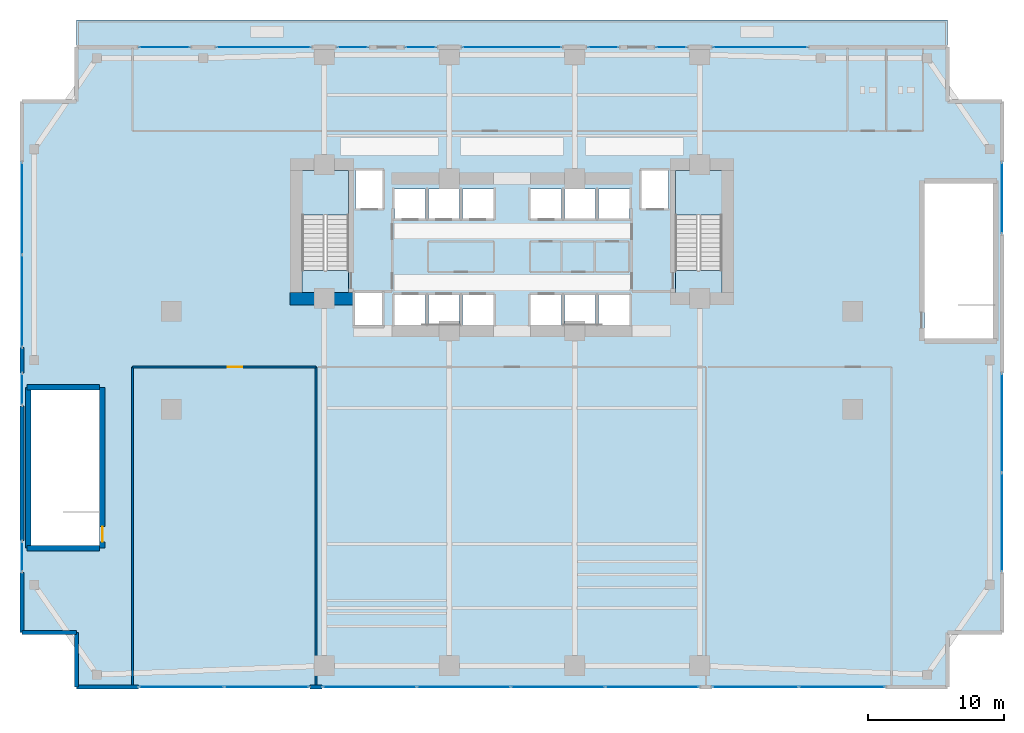
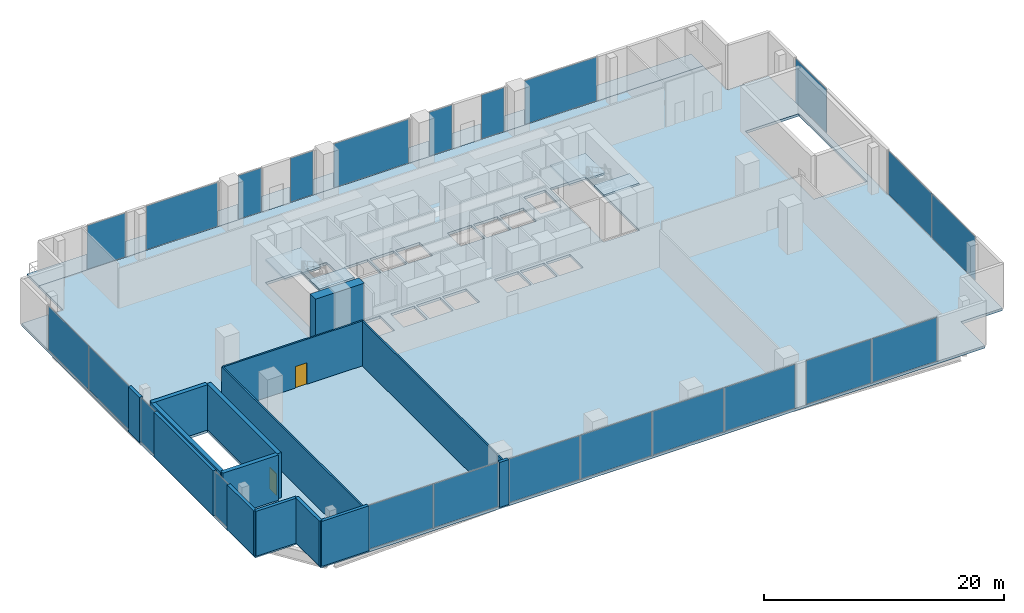
# One storey, part 20 of 28: 23 plates, 15 walls, 6 slabs, 2 doors, 2 openings, 18 elements without a shape of their own.
"""IFC4 building model written with IfcOpenShell, lengths in metres."""

from ifc_helpers import new_model, si_unit, direction, frame, frame_2d, origin, origin_2d, place, context, subcontext, project, spatial, polyline, rectangle, outline, extrude, material, layer, layer_set, type_object, element, fill, aggregate, save


model = new_model("IFC4")

# Units and contexts
model_context = context("Model", 3, precision=1e-05, world=origin(), true_north=direction((0.0, 1.0)))
body_context = subcontext(model_context, "Body", "Model", "MODEL_VIEW")
ifc_project = project(units=[si_unit("LENGTHUNIT", "METRE"), si_unit("AREAUNIT", "SQUARE_METRE"), si_unit("VOLUMEUNIT", "CUBIC_METRE"), si_unit("PLANEANGLEUNIT", "RADIAN"), si_unit("MASSUNIT", "GRAM", prefix="KILO")], contexts=[model_context])

# Site, building, storey
site_placement = place(None, origin())
site = spatial("IfcSite", under=ifc_project, at=site_placement, CompositionType="ELEMENT")
building_placement = place(site_placement, origin())
building = spatial("IfcBuilding", under=site, at=building_placement, Name="Zuhayl Quay Hotel", CompositionType="ELEMENT")
storey_placement = place(building_placement, frame((0.0, 0.0, 22.800048828125)))
storey = spatial("IfcBuildingStorey", under=building, at=storey_placement, Name="L04", CompositionType="ELEMENT", Elevation=22.800048828125)

# Curtain wall, plate
ifc_material_1 = material(Name="Anodised Aluminium 6063-T6", Category="aluminium")
ifc_layer_1 = layer(ifc_material_1, 0.199951171875, Name="Anodised Aluminium 6063-T6", Category="aluminium")
ifc_layer_set_1 = layer_set([ifc_layer_1], Name="Anodised Aluminium 6063-T6")
curtain_wall_type = type_object("IfcCurtainWallType", Name="CW_SYS_POD", PredefinedType="USERDEFINED", material=ifc_layer_set_1)
curtain_wall_1_placement = place(storey_placement, origin())
curtain_wall_1 = element("IfcCurtainWall", 1, at=curtain_wall_1_placement, inside=storey, type_object=curtain_wall_type, Name="L04 Curtain Wall ENV_L04_E02_CW1", ObjectType="UNITISED CURTAIN WALL", PredefinedType="USERDEFINED")
ifc_material_2 = material(Name="Low-E Insulated Clear Vision Glass", Category="glass")
ifc_layer_2 = layer(ifc_material_2, 0.031982421875, Name="Low-E Insulated Clear Vision Glass", Category="glass")
ifc_layer_set_2 = layer_set([ifc_layer_2], Name="Low-E Insulated Clear Vision Glass")
plate_type = type_object("IfcPlateType", Name="PN_POD_VISION", PredefinedType="CURTAIN_PANEL", material=ifc_layer_set_2)
plate_1_placement = place(storey_placement, frame((-36.0, -14.4150390625, 0.06005859375), z_axis=(0.0, 0.0, 1.0), x_axis=(0.0, 1.0, 0.0)))
plate_1 = element("IfcPlate", 2, at=plate_1_placement, type_object=plate_type, Name="CW-POD panel 1.1", PredefinedType="CURTAIN_PANEL", context=body_context, shape_type="SweptSolid", body=[
    extrude(rectangle(XDim=2.179931640625, YDim=0.031982421875, at=origin_2d()), origin(), (0.0, 0.0, 1.0), 4.4599609375),
])
aggregate(curtain_wall_1, [plate_1])

curtain_wall_2_placement = place(storey_placement, origin())
curtain_wall_2 = element("IfcCurtainWall", 3, at=curtain_wall_2_placement, inside=storey, type_object=curtain_wall_type, Name="L04 Curtain Wall ENV_L04_E02_CW2", ObjectType="UNITISED CURTAIN WALL", PredefinedType="USERDEFINED")
plate_2_placement = place(storey_placement, frame((-36.0, -2.135009765625, 0.06005859375), z_axis=(0.0, 0.0, 1.0), x_axis=(0.0, 1.0, 0.0)))
plate_2 = element("IfcPlate", 4, at=plate_2_placement, type_object=plate_type, Name="CW-POD panel 1.1", PredefinedType="CURTAIN_PANEL", context=body_context, shape_type="SweptSolid", body=[
    extrude(rectangle(XDim=2.280029296875, YDim=0.031982421875, at=origin_2d()), origin(), (0.0, 0.0, 1.0), 4.4599609375),
])
aggregate(curtain_wall_2, [plate_2])

# Curtain wall, plates
curtain_wall_3_placement = place(storey_placement, origin())
curtain_wall_3 = element("IfcCurtainWall", 5, at=curtain_wall_3_placement, inside=storey, type_object=curtain_wall_type, Name="L04 Curtain Wall ENV_L04_E02_CW3", ObjectType="UNITISED CURTAIN WALL", PredefinedType="USERDEFINED")
plate_3_placement = place(storey_placement, frame((-36.0, 4.353759765625, 0.06005859375), z_axis=(0.0, 0.0, 1.0), x_axis=(0.0, 1.0, 0.0)))
plate_3 = element("IfcPlate", 6, at=plate_3_placement, type_object=plate_type, Name="CW-POD panel 1.1", PredefinedType="CURTAIN_PANEL", context=body_context, shape_type="SweptSolid", body=[
    extrude(rectangle(XDim=6.717529296875, YDim=0.031982421875, at=origin_2d()), origin(), (0.0, 0.0, 1.0), 4.4599609375),
])
plate_4_placement = place(storey_placement, frame((-36.0, 11.146240234375, 0.06005859375), z_axis=(0.0, 0.0, 1.0), x_axis=(0.0, 1.0, 0.0)))
plate_4 = element("IfcPlate", 7, at=plate_4_placement, type_object=plate_type, Name="CW-POD panel 2.1", PredefinedType="CURTAIN_PANEL", context=body_context, shape_type="SweptSolid", body=[
    extrude(rectangle(XDim=6.717529296875, YDim=0.031982421875, at=origin_2d()), origin(), (0.0, 0.0, 1.0), 4.4599609375),
])
aggregate(curtain_wall_3, [plate_3, plate_4])

# Curtain wall, plate
curtain_wall_4_placement = place(storey_placement, origin())
curtain_wall_4 = element("IfcCurtainWall", 8, at=curtain_wall_4_placement, inside=storey, type_object=curtain_wall_type, Name="L04 Curtain Wall ENV_L04_E05_CW1", ObjectType="UNITISED CURTAIN WALL", PredefinedType="USERDEFINED")
plate_5_placement = place(storey_placement, frame((-25.534912109375, 23.0, 0.06005859375), z_axis=(0.0, 0.0, 1.0), x_axis=(1.0, 0.0, 0.0)))
plate_5 = element("IfcPlate", 9, at=plate_5_placement, type_object=plate_type, Name="CW-POD panel 1.1", PredefinedType="CURTAIN_PANEL", context=body_context, shape_type="SweptSolid", body=[
    extrude(rectangle(XDim=3.679931640625, YDim=0.031982421875, at=origin_2d()), origin(), (0.0, 0.0, 1.0), 4.4599609375),
])
aggregate(curtain_wall_4, [plate_5])

curtain_wall_5_placement = place(storey_placement, origin())
curtain_wall_5 = element("IfcCurtainWall", 10, at=curtain_wall_5_placement, inside=storey, type_object=curtain_wall_type, Name="L04 Curtain Wall ENV_L04_E05_CW2", ObjectType="UNITISED CURTAIN WALL", PredefinedType="USERDEFINED")
plate_6_placement = place(storey_placement, frame((-18.25, 23.0, 0.06005859375), z_axis=(0.0, 0.0, 1.0), x_axis=(1.0, 0.0, 0.0)))
plate_6 = element("IfcPlate", 11, at=plate_6_placement, type_object=plate_type, Name="CW-POD panel 1.1", PredefinedType="CURTAIN_PANEL", context=body_context, shape_type="SweptSolid", body=[
    extrude(rectangle(XDim=6.909912109375, YDim=0.031982421875, at=origin_2d()), origin(), (0.0, 0.0, 1.0), 4.4599609375),
])
aggregate(curtain_wall_5, [plate_6])

curtain_wall_6_placement = place(storey_placement, origin())
curtain_wall_6 = element("IfcCurtainWall", 12, at=curtain_wall_6_placement, inside=storey, type_object=curtain_wall_type, Name="L04 Curtain Wall ENV_L04_E05_CW3", ObjectType="UNITISED CURTAIN WALL", PredefinedType="USERDEFINED")
plate_7_placement = place(storey_placement, frame((-11.702392578125, 23.0, 0.06005859375), z_axis=(0.0, 0.0, 1.0), x_axis=(1.0, 0.0, 0.0)))
plate_7 = element("IfcPlate", 13, at=plate_7_placement, type_object=plate_type, Name="CW-POD panel 1.1", PredefinedType="CURTAIN_PANEL", context=body_context, shape_type="SweptSolid", body=[
    extrude(rectangle(XDim=2.205078125, YDim=0.031982421875, at=origin_2d()), origin(), (0.0, 0.0, 1.0), 4.4599609375),
])
aggregate(curtain_wall_6, [plate_7])

curtain_wall_7_placement = place(storey_placement, origin())
curtain_wall_7 = element("IfcCurtainWall", 14, at=curtain_wall_7_placement, inside=storey, type_object=curtain_wall_type, Name="L04 Curtain Wall ENV_L04_E05_CW4", ObjectType="UNITISED CURTAIN WALL", PredefinedType="USERDEFINED")
plate_8_placement = place(storey_placement, frame((-6.697509765625, 23.0, 0.06005859375), z_axis=(0.0, 0.0, 1.0), x_axis=(1.0, 0.0, 0.0)))
plate_8 = element("IfcPlate", 15, at=plate_8_placement, type_object=plate_type, Name="CW-POD panel 1.1", PredefinedType="CURTAIN_PANEL", context=body_context, shape_type="SweptSolid", body=[
    extrude(rectangle(XDim=2.205078125, YDim=0.031982421875, at=origin_2d()), origin(), (0.0, 0.0, 1.0), 4.4599609375),
])
aggregate(curtain_wall_7, [plate_8])

curtain_wall_8_placement = place(storey_placement, origin())
curtain_wall_8 = element("IfcCurtainWall", 16, at=curtain_wall_8_placement, inside=storey, type_object=curtain_wall_type, Name="L04 Curtain Wall ENV_L04_E05_CW5", ObjectType="UNITISED CURTAIN WALL", PredefinedType="USERDEFINED")
plate_9_placement = place(storey_placement, frame((0.0, 23.0, 0.06005859375), z_axis=(0.0, 0.0, 1.0), x_axis=(1.0, 0.0, 0.0)))
plate_9 = element("IfcPlate", 17, at=plate_9_placement, type_object=plate_type, Name="CW-POD panel 1.1", PredefinedType="CURTAIN_PANEL", context=body_context, shape_type="SweptSolid", body=[
    extrude(rectangle(XDim=7.2099609375, YDim=0.031982421875, at=origin_2d()), origin(), (0.0, 0.0, 1.0), 4.4599609375),
])
aggregate(curtain_wall_8, [plate_9])

curtain_wall_9_placement = place(storey_placement, origin())
curtain_wall_9 = element("IfcCurtainWall", 18, at=curtain_wall_9_placement, inside=storey, type_object=curtain_wall_type, Name="L04 Curtain Wall ENV_L04_E05_CW6", ObjectType="UNITISED CURTAIN WALL", PredefinedType="USERDEFINED")
plate_10_placement = place(storey_placement, frame((6.697509765625, 23.0, 0.06005859375), z_axis=(0.0, 0.0, 1.0), x_axis=(1.0, 0.0, 0.0)))
plate_10 = element("IfcPlate", 19, at=plate_10_placement, type_object=plate_type, Name="CW-POD panel 1.1", PredefinedType="CURTAIN_PANEL", context=body_context, shape_type="SweptSolid", body=[
    extrude(rectangle(XDim=2.205078125, YDim=0.031982421875, at=origin_2d()), origin(), (0.0, 0.0, 1.0), 4.4599609375),
])
aggregate(curtain_wall_9, [plate_10])

curtain_wall_10_placement = place(storey_placement, origin())
curtain_wall_10 = element("IfcCurtainWall", 20, at=curtain_wall_10_placement, inside=storey, type_object=curtain_wall_type, Name="L04 Curtain Wall ENV_L04_E05_CW7", ObjectType="UNITISED CURTAIN WALL", PredefinedType="USERDEFINED")
plate_11_placement = place(storey_placement, frame((11.702392578125, 23.0, 0.06005859375), z_axis=(0.0, 0.0, 1.0), x_axis=(1.0, 0.0, 0.0)))
plate_11 = element("IfcPlate", 21, at=plate_11_placement, type_object=plate_type, Name="CW-POD panel 1.1", PredefinedType="CURTAIN_PANEL", context=body_context, shape_type="SweptSolid", body=[
    extrude(rectangle(XDim=2.205078125, YDim=0.031982421875, at=origin_2d()), origin(), (0.0, 0.0, 1.0), 4.4599609375),
])
aggregate(curtain_wall_10, [plate_11])

curtain_wall_11_placement = place(storey_placement, origin())
curtain_wall_11 = element("IfcCurtainWall", 22, at=curtain_wall_11_placement, inside=storey, type_object=curtain_wall_type, Name="L04 Curtain Wall ENV_L04_E05_CW8", ObjectType="UNITISED CURTAIN WALL", PredefinedType="USERDEFINED")
plate_12_placement = place(storey_placement, frame((18.25, 23.0, 0.06005859375), z_axis=(0.0, 0.0, 1.0), x_axis=(1.0, 0.0, 0.0)))
plate_12 = element("IfcPlate", 23, at=plate_12_placement, type_object=plate_type, Name="CW-POD panel 1.1", PredefinedType="CURTAIN_PANEL", context=body_context, shape_type="SweptSolid", body=[
    extrude(rectangle(XDim=6.909912109375, YDim=0.031982421875, at=origin_2d()), origin(), (0.0, 0.0, 1.0), 4.4599609375),
])
aggregate(curtain_wall_11, [plate_12])

curtain_wall_12_placement = place(storey_placement, origin())
curtain_wall_12 = element("IfcCurtainWall", 24, at=curtain_wall_12_placement, inside=storey, type_object=curtain_wall_type, Name="L04 Curtain Wall ENV_L04_E08_CW1", ObjectType="UNITISED CURTAIN WALL", PredefinedType="USERDEFINED")
plate_13_placement = place(storey_placement, frame((36.0, 11.9150390625, 0.06005859375), z_axis=(0.0, 0.0, 1.0), x_axis=(0.0, -1.0, 0.0)))
plate_13 = element("IfcPlate", 25, at=plate_13_placement, type_object=plate_type, Name="CW-POD panel 1.1", PredefinedType="CURTAIN_PANEL", context=body_context, shape_type="SweptSolid", body=[
    extrude(rectangle(XDim=5.179931640625, YDim=0.031982421875, at=origin_2d()), origin(), (0.0, 0.0, 1.0), 4.4599609375),
])
aggregate(curtain_wall_12, [plate_13])

# Curtain wall, plates
curtain_wall_13_placement = place(storey_placement, origin())
curtain_wall_13 = element("IfcCurtainWall", 26, at=curtain_wall_13_placement, inside=storey, type_object=curtain_wall_type, Name="L04 Curtain Wall ENV_L04_E08_CW2", ObjectType="UNITISED CURTAIN WALL", PredefinedType="USERDEFINED")
plate_14_placement = place(storey_placement, frame((36.0, -4.603759765625, 0.06005859375), z_axis=(0.0, 0.0, 1.0), x_axis=(0.0, -1.0, 0.0)))
plate_14 = element("IfcPlate", 27, at=plate_14_placement, type_object=plate_type, Name="CW-POD panel 1.1", PredefinedType="CURTAIN_PANEL", context=body_context, shape_type="SweptSolid", body=[
    extrude(rectangle(XDim=7.217529296875, YDim=0.031982421875, at=origin_2d()), origin(), (0.0, 0.0, 1.0), 4.4599609375),
])
plate_15_placement = place(storey_placement, frame((36.0, -11.896240234375, 0.06005859375), z_axis=(0.0, 0.0, 1.0), x_axis=(0.0, -1.0, 0.0)))
plate_15 = element("IfcPlate", 28, at=plate_15_placement, type_object=plate_type, Name="CW-POD panel 2.1", PredefinedType="CURTAIN_PANEL", context=body_context, shape_type="SweptSolid", body=[
    extrude(rectangle(XDim=7.217529296875, YDim=0.031982421875, at=origin_2d()), origin(), (0.0, 0.0, 1.0), 4.4599609375),
])
aggregate(curtain_wall_13, [plate_14, plate_15])

curtain_wall_14_placement = place(storey_placement, origin())
curtain_wall_14 = element("IfcCurtainWall", 29, at=curtain_wall_14_placement, inside=storey, type_object=curtain_wall_type, Name="L04 Curtain Wall ENV_L04_E11_CW1", ObjectType="UNITISED CURTAIN WALL", PredefinedType="USERDEFINED")
plate_16_placement = place(storey_placement, frame((24.2412109375, -24.0, 0.06005859375), z_axis=(0.0, 0.0, 1.0), x_axis=(-1.0, 0.0, 0.0)))
plate_16 = element("IfcPlate", 30, at=plate_16_placement, type_object=plate_type, Name="CW-POD panel 1.1", PredefinedType="CURTAIN_PANEL", context=body_context, shape_type="SweptSolid", body=[
    extrude(rectangle(XDim=6.267578125, YDim=0.031982421875, at=origin_2d()), origin(), (0.0, 0.0, 1.0), 4.4599609375),
])
plate_17_placement = place(storey_placement, frame((17.898681640625, -24.0, 0.06005859375), z_axis=(0.0, 0.0, 1.0), x_axis=(-1.0, 0.0, 0.0)))
plate_17 = element("IfcPlate", 31, at=plate_17_placement, type_object=plate_type, Name="CW-POD panel 2.1", PredefinedType="CURTAIN_PANEL", context=body_context, shape_type="SweptSolid", body=[
    extrude(rectangle(XDim=6.267578125, YDim=0.031982421875, at=origin_2d()), origin(), (0.0, 0.0, 1.0), 4.4599609375),
])
aggregate(curtain_wall_14, [plate_16, plate_17])

curtain_wall_15_placement = place(storey_placement, origin())
curtain_wall_15 = element("IfcCurtainWall", 32, at=curtain_wall_15_placement, inside=storey, type_object=curtain_wall_type, Name="L04 Curtain Wall ENV_L04_E11_CW2", ObjectType="UNITISED CURTAIN WALL", PredefinedType="USERDEFINED")
plate_18_placement = place(storey_placement, frame((10.3037109375, -24.0, 0.06005859375), z_axis=(0.0, 0.0, 1.0), x_axis=(-1.0, 0.0, 0.0)))
plate_18 = element("IfcPlate", 33, at=plate_18_placement, type_object=plate_type, Name="CW-POD panel 1.1", PredefinedType="CURTAIN_PANEL", context=body_context, shape_type="SweptSolid", body=[
    extrude(rectangle(XDim=6.822509765625, YDim=0.031982421875, at=origin_2d()), origin(), (0.0, 0.0, 1.0), 4.4599609375),
])
plate_19_placement = place(storey_placement, frame((3.387451171875, -24.0, 0.06005859375), z_axis=(0.0, 0.0, 1.0), x_axis=(-1.0, 0.0, 0.0)))
plate_19 = element("IfcPlate", 34, at=plate_19_placement, type_object=plate_type, Name="CW-POD panel 2.1", PredefinedType="CURTAIN_PANEL", context=body_context, shape_type="SweptSolid", body=[
    extrude(rectangle(XDim=6.860107421875, YDim=0.031982421875, at=origin_2d()), origin(), (0.0, 0.0, 1.0), 4.4599609375),
])
plate_20_placement = place(storey_placement, frame((-3.547607421875, -24.0, 0.06005859375), z_axis=(0.0, 0.0, 1.0), x_axis=(-1.0, 0.0, 0.0)))
plate_20 = element("IfcPlate", 35, at=plate_20_placement, type_object=plate_type, Name="CW-POD panel 3.1", PredefinedType="CURTAIN_PANEL", context=body_context, shape_type="SweptSolid", body=[
    extrude(rectangle(XDim=6.860107421875, YDim=0.031982421875, at=origin_2d()), origin(), (0.0, 0.0, 1.0), 4.4599609375),
])
plate_21_placement = place(storey_placement, frame((-10.4638671875, -24.0, 0.06005859375), z_axis=(0.0, 0.0, 1.0), x_axis=(-1.0, 0.0, 0.0)))
plate_21 = element("IfcPlate", 36, at=plate_21_placement, type_object=plate_type, Name="CW-POD panel 4.1", PredefinedType="CURTAIN_PANEL", context=body_context, shape_type="SweptSolid", body=[
    extrude(rectangle(XDim=6.822509765625, YDim=0.031982421875, at=origin_2d()), origin(), (0.0, 0.0, 1.0), 4.4599609375),
])
aggregate(curtain_wall_15, [plate_18, plate_19, plate_20, plate_21])

curtain_wall_16_placement = place(storey_placement, origin())
curtain_wall_16 = element("IfcCurtainWall", 37, at=curtain_wall_16_placement, inside=storey, type_object=curtain_wall_type, Name="L04 Curtain Wall ENV_L04_E11_CW3", ObjectType="UNITISED CURTAIN WALL", PredefinedType="USERDEFINED")
plate_22_placement = place(storey_placement, frame((-18.018798828125, -24.0, 0.06005859375), z_axis=(0.0, 0.0, 1.0), x_axis=(-1.0, 0.0, 0.0)))
plate_22 = element("IfcPlate", 38, at=plate_22_placement, type_object=plate_type, Name="CW-POD panel 1.1", PredefinedType="CURTAIN_PANEL", context=body_context, shape_type="SweptSolid", body=[
    extrude(rectangle(XDim=6.1875, YDim=0.031982421875, at=origin_2d()), origin(), (0.0, 0.0, 1.0), 4.4599609375),
])
plate_23_placement = place(storey_placement, frame((-24.28125, -24.0, 0.06005859375), z_axis=(0.0, 0.0, 1.0), x_axis=(-1.0, 0.0, 0.0)))
plate_23 = element("IfcPlate", 39, at=plate_23_placement, type_object=plate_type, Name="CW-POD panel 2.1", PredefinedType="CURTAIN_PANEL", context=body_context, shape_type="SweptSolid", body=[
    extrude(rectangle(XDim=6.1875, YDim=0.031982421875, at=origin_2d()), origin(), (0.0, 0.0, 1.0), 4.4599609375),
])
aggregate(curtain_wall_16, [plate_22, plate_23])

# Slab
ifc_material_3 = material(Name="Concrete C45/55", Category="concrete")
ifc_layer_3 = layer(ifc_material_3, 0.260009765625, Name="Concrete C45/55", Category="concrete")
ifc_layer_set_3 = layer_set([ifc_layer_3], Name="Concrete C45/55")
slab_type_1 = type_object("IfcSlabType", Name="SL_FLOOR_260", PredefinedType="FLOOR", material=ifc_layer_set_3)
slab_1_placement = place(storey_placement, frame((0.0, 0.0, -0.260009765625)))
element("IfcSlab", 40, at=slab_1_placement, inside=storey, type_object=slab_type_1, Name="L04 Structural Floor Slab", PredefinedType="FLOOR", context=body_context, shape_type="SweptSolid", body=[
    extrude(outline(polyline([(-32.0, -24.0), (32.0, -24.0), (32.0, -20.0), (36.0, -20.0), (36.0, 19.0), (32.0, 19.0), (32.0, 23.0), (-32.0, 23.0), (-32.0, 19.0), (-36.0, 19.0), (-36.0, -20.0), (-32.0, -20.0), (-32.0, -24.0)]), holes=[polyline([(-12.0, 4.949951171875), (-12.0, 13.949951171875), (-15.429931640625, 13.949951171875), (-15.429931640625, 4.949951171875), (-12.0, 4.949951171875)]), polyline([(15.429931640625, 4.949951171875), (15.429931640625, 13.949951171875), (12.0, 13.949951171875), (12.0, 4.949951171875), (15.429931640625, 4.949951171875)]), polyline([(-30.300048828125, -13.60009765625), (-30.300048828125, -2.199951171875), (-35.449951171875, -2.199951171875), (-35.449951171875, -13.60009765625), (-30.300048828125, -13.60009765625)]), polyline([(35.449951171875, 1.60009765625), (35.449951171875, 13.0), (30.300048828125, 13.0), (30.300048828125, 1.60009765625), (35.449951171875, 1.60009765625)]), polyline([(-11.5, 11.14990234375), (-9.5, 11.14990234375), (-9.5, 13.949951171875), (-11.5, 13.949951171875), (-11.5, 11.14990234375)]), polyline([(9.5, 11.14990234375), (11.5, 11.14990234375), (11.5, 13.949951171875), (9.5, 13.949951171875), (9.5, 11.14990234375)]), polyline([(-8.64990234375, 2.60009765625), (-6.35009765625, 2.60009765625), (-6.35009765625, 4.800048828125), (-8.64990234375, 4.800048828125), (-8.64990234375, 2.60009765625)]), polyline([(-6.14990234375, 2.60009765625), (-3.85009765625, 2.60009765625), (-3.85009765625, 4.800048828125), (-6.14990234375, 4.800048828125), (-6.14990234375, 2.60009765625)]), polyline([(-8.64990234375, 10.39990234375), (-6.35009765625, 10.39990234375), (-6.35009765625, 12.60009765625), (-8.64990234375, 12.60009765625), (-8.64990234375, 10.39990234375)]), polyline([(-6.14990234375, 10.39990234375), (-3.85009765625, 10.39990234375), (-3.85009765625, 12.60009765625), (-6.14990234375, 12.60009765625), (-6.14990234375, 10.39990234375)]), polyline([(-3.64990234375, 2.60009765625), (-1.35009765625, 2.60009765625), (-1.35009765625, 4.800048828125), (-3.64990234375, 4.800048828125), (-3.64990234375, 2.60009765625)]), polyline([(1.35009765625, 2.60009765625), (3.64990234375, 2.60009765625), (3.64990234375, 4.800048828125), (1.35009765625, 4.800048828125), (1.35009765625, 2.60009765625)]), polyline([(-3.64990234375, 10.39990234375), (-1.35009765625, 10.39990234375), (-1.35009765625, 12.60009765625), (-3.64990234375, 12.60009765625), (-3.64990234375, 10.39990234375)]), polyline([(1.35009765625, 10.39990234375), (3.64990234375, 10.39990234375), (3.64990234375, 12.60009765625), (1.35009765625, 12.60009765625), (1.35009765625, 10.39990234375)]), polyline([(3.85009765625, 2.60009765625), (6.14990234375, 2.60009765625), (6.14990234375, 4.800048828125), (3.85009765625, 4.800048828125), (3.85009765625, 2.60009765625)]), polyline([(6.35009765625, 2.60009765625), (8.64990234375, 2.60009765625), (8.64990234375, 4.800048828125), (6.35009765625, 4.800048828125), (6.35009765625, 2.60009765625)]), polyline([(3.85009765625, 10.39990234375), (6.14990234375, 10.39990234375), (6.14990234375, 12.60009765625), (3.85009765625, 12.60009765625), (3.85009765625, 10.39990234375)]), polyline([(6.35009765625, 10.39990234375), (8.64990234375, 10.39990234375), (8.64990234375, 12.60009765625), (6.35009765625, 12.60009765625), (6.35009765625, 10.39990234375)]), polyline([(-11.550048828125, 2.550048828125), (-9.550048828125, 2.550048828125), (-9.550048828125, 4.949951171875), (-11.550048828125, 4.949951171875), (-11.550048828125, 2.550048828125)])]), origin(), (0.0, 0.0, 1.0), 0.260009765625),
])

# Stair, slabs
stair_type = type_object("IfcStairType", Name="ST_DOGLEG_TOWER", PredefinedType="HALF_TURN_STAIR", material=ifc_material_3)
stair_1_placement = place(storey_placement, origin())
stair_1 = element("IfcStair", 41, at=stair_1_placement, inside=storey, type_object=stair_type, Name="L04 Smokeproof Exit Stair ST1", PredefinedType="HALF_TURN_STAIR")
ifc_layer_4 = layer(ifc_material_3, 0.199951171875, Name="Concrete C45/55", Category="concrete")
ifc_layer_set_4 = layer_set([ifc_layer_4], Name="Concrete C45/55")
slab_type_2 = type_object("IfcSlabType", Name="SL_STAIR_LANDING_200", PredefinedType="LANDING", material=ifc_layer_set_4)
slab_2_placement = place(storey_placement, frame((0.0, 0.0, 2.199951171875)))
slab_2 = element("IfcSlab", 42, at=slab_2_placement, type_object=slab_type_2, Name="ST1 landing 1", PredefinedType="LANDING", context=body_context, shape_type="SweptSolid", body=[
    extrude(outline(polyline([(-12.0, 10.669921875), (-12.0, 13.949951171875), (-15.429931640625, 13.949951171875), (-15.429931640625, 10.669921875), (-12.0, 10.669921875)])), origin(), (0.0, 0.0, 1.0), 0.199951171875),
])
slab_3_placement = place(storey_placement, frame((0.0, 0.0, 4.599853515625)))
slab_3 = element("IfcSlab", 43, at=slab_3_placement, type_object=slab_type_2, Name="ST1 landing 2", PredefinedType="LANDING", context=body_context, shape_type="SweptSolid", body=[
    extrude(outline(polyline([(-12.0, 4.949951171875), (-12.0, 6.590087890625), (-15.429931640625, 6.590087890625), (-15.429931640625, 4.949951171875), (-12.0, 4.949951171875)])), origin(), (0.0, 0.0, 1.0), 0.2001953125),
])
aggregate(stair_1, [slab_2, slab_3])

stair_2_placement = place(storey_placement, origin())
stair_2 = element("IfcStair", 44, at=stair_2_placement, inside=storey, type_object=stair_type, Name="L04 Smokeproof Exit Stair ST2", PredefinedType="HALF_TURN_STAIR")
slab_4_placement = place(storey_placement, frame((0.0, 0.0, 2.199951171875)))
slab_4 = element("IfcSlab", 45, at=slab_4_placement, type_object=slab_type_2, Name="ST2 landing 1", PredefinedType="LANDING", context=body_context, shape_type="SweptSolid", body=[
    extrude(outline(polyline([(15.429931640625, 10.669921875), (15.429931640625, 13.949951171875), (12.0, 13.949951171875), (12.0, 10.669921875), (15.429931640625, 10.669921875)])), origin(), (0.0, 0.0, 1.0), 0.199951171875),
])
slab_5_placement = place(storey_placement, frame((0.0, 0.0, 4.599853515625)))
slab_5 = element("IfcSlab", 46, at=slab_5_placement, type_object=slab_type_2, Name="ST2 landing 2", PredefinedType="LANDING", context=body_context, shape_type="SweptSolid", body=[
    extrude(outline(polyline([(15.429931640625, 4.949951171875), (15.429931640625, 6.590087890625), (12.0, 6.590087890625), (12.0, 4.949951171875), (15.429931640625, 4.949951171875)])), origin(), (0.0, 0.0, 1.0), 0.2001953125),
])
aggregate(stair_2, [slab_4, slab_5])

# Slab
ifc_layer_5 = layer(ifc_material_3, 0.219970703125, Name="Concrete C45/55", Category="concrete")
ifc_layer_set_5 = layer_set([ifc_layer_5], Name="Concrete C45/55")
slab_type_3 = type_object("IfcSlabType", Name="SL_TERRACE_235", PredefinedType="FLOOR", material=ifc_layer_set_5)
slab_6_placement = place(storey_placement, frame((0.0, 0.0, -0.260009765625)))
element("IfcSlab", 47, at=slab_6_placement, inside=storey, type_object=slab_type_3, Name="L04 Exterior Sky-Terrace Slab POD_NORTH_TERR", PredefinedType="FLOOR", context=body_context, shape_type="SweptSolid", body=[
    extrude(outline(polyline([(-32.0, 23.0), (32.0, 23.0), (32.0, 25.0), (-32.0, 25.0), (-32.0, 23.0)])), origin(), (0.0, 0.0, 1.0), 0.260009765625),
])

# Walls
ifc_material_4 = material(Name="Concrete C70/85", Category="concrete")
ifc_layer_6 = layer(ifc_material_4, 0.89990234375, Name="Concrete C70/85", Category="concrete")
ifc_layer_set_6 = layer_set([ifc_layer_6], Name="Concrete C70/85")
wall_type_1 = type_object("IfcWallType", Name="WL_CORE_900", PredefinedType="SHEAR", material=ifc_layer_set_6)
wall_1_placement = place(storey_placement, frame((-16.31005859375, 4.52001953125, 0.0), z_axis=(0.0, 0.0, 1.0), x_axis=(1.0, 0.0, 0.0)))
element("IfcWall", 48, at=wall_1_placement, inside=storey, type_object=wall_type_1, Name="L04 Core Shear Wall CW_SW", PredefinedType="SHEAR", context=body_context, shape_type="SweptSolid", body=[
    extrude(rectangle(XDim=4.7099609375, YDim=0.89990234375, at=frame_2d((2.35498046875, 0.0))), origin(), (0.0, 0.0, 1.0), 4.60986328125),
])
ifc_material_5 = material(Name="Precast concrete C45/55", Category="concrete")
ifc_layer_7 = layer(ifc_material_5, 0.300048828125, Name="Precast concrete C45/55", Category="concrete")
ifc_layer_set_7 = layer_set([ifc_layer_7], Name="Precast concrete C45/55")
wall_type_2 = type_object("IfcWallType", Name="WL_EXT_300", PredefinedType="STANDARD", material=ifc_layer_set_7)
wall_2_placement = place(storey_placement, frame((-32.0, -20.0, 0.0), z_axis=(0.0, 0.0, 1.0), x_axis=(-1.0, 0.0, 0.0)))
element("IfcWall", 49, at=wall_2_placement, inside=storey, type_object=wall_type_2, Name="L04 Exterior Precast Wall ENV_L04_EW01", PredefinedType="STANDARD", context=body_context, shape_type="SweptSolid", body=[
    extrude(rectangle(XDim=4.0, YDim=0.300048828125, at=frame_2d((2.0, 0.0))), origin(), (0.0, 0.0, 1.0), 4.579833984375),
])
wall_3_placement = place(storey_placement, frame((-36.0, -20.0, 0.0), z_axis=(0.0, 0.0, 1.0), x_axis=(0.0, 1.0, 0.0)))
element("IfcWall", 50, at=wall_3_placement, inside=storey, type_object=wall_type_2, Name="L04 Exterior Precast Wall ENV_L04_E02_EW1", PredefinedType="STANDARD", context=body_context, shape_type="SweptSolid", body=[
    extrude(rectangle(XDim=4.419921875, YDim=0.300048828125, at=frame_2d((2.2099609375, 0.0))), origin(), (0.0, 0.0, 1.0), 4.579833984375),
])
wall_4_placement = place(storey_placement, frame((-36.0, -13.25, 0.0), z_axis=(0.0, 0.0, 1.0), x_axis=(0.0, 1.0, 0.0)))
element("IfcWall", 51, at=wall_4_placement, inside=storey, type_object=wall_type_2, Name="L04 Exterior Precast Wall ENV_L04_E02_EW2", PredefinedType="STANDARD", context=body_context, shape_type="SweptSolid", body=[
    extrude(rectangle(XDim=9.89990234375, YDim=0.300048828125, at=frame_2d((4.949951171875, 0.0))), origin(), (0.0, 0.0, 1.0), 4.579833984375),
])
wall_5_placement = place(storey_placement, frame((-36.0, -0.919921875, 0.0), z_axis=(0.0, 0.0, 1.0), x_axis=(0.0, 1.0, 0.0)))
element("IfcWall", 52, at=wall_5_placement, inside=storey, type_object=wall_type_2, Name="L04 Exterior Precast Wall ENV_L04_E02_EW3", PredefinedType="STANDARD", context=body_context, shape_type="SweptSolid", body=[
    extrude(rectangle(XDim=1.83984375, YDim=0.300048828125, at=frame_2d((0.919921875, 0.0))), origin(), (0.0, 0.0, 1.0), 4.579833984375),
])
wall_6_placement = place(storey_placement, frame((-13.949951171875, -24.0, 0.0), z_axis=(0.0, 0.0, 1.0), x_axis=(-1.0, 0.0, 0.0)))
element("IfcWall", 53, at=wall_6_placement, inside=storey, type_object=wall_type_2, Name="L04 Exterior Precast Wall ENV_L04_E11_EW3", PredefinedType="STANDARD", context=body_context, shape_type="SweptSolid", body=[
    extrude(rectangle(XDim=0.900146484375, YDim=0.300048828125, at=frame_2d((0.4501953125, 0.0))), origin(), (0.0, 0.0, 1.0), 4.579833984375),
])
wall_7_placement = place(storey_placement, frame((-27.449951171875, -24.0, 0.0), z_axis=(0.0, 0.0, 1.0), x_axis=(-1.0, 0.0, 0.0)))
element("IfcWall", 54, at=wall_7_placement, inside=storey, type_object=wall_type_2, Name="L04 Exterior Precast Wall ENV_L04_E11_EW4", PredefinedType="STANDARD", context=body_context, shape_type="SweptSolid", body=[
    extrude(rectangle(XDim=4.550048828125, YDim=0.300048828125, at=frame_2d((2.27490234375, 0.0))), origin(), (0.0, 0.0, 1.0), 4.579833984375),
])
wall_8_placement = place(storey_placement, frame((-32.0, -24.0, 0.0), z_axis=(0.0, 0.0, 1.0), x_axis=(0.0, 1.0, 0.0)))
element("IfcWall", 55, at=wall_8_placement, inside=storey, type_object=wall_type_2, Name="L04 Exterior Precast Wall ENV_L04_EW12", PredefinedType="STANDARD", context=body_context, shape_type="SweptSolid", body=[
    extrude(rectangle(XDim=4.0, YDim=0.300048828125, at=frame_2d((2.0, 0.0))), origin(), (0.0, 0.0, 1.0), 4.579833984375),
])
ifc_material_6 = material(Name="Acoustic Gypsum Partition STC-58")
ifc_layer_8 = layer(ifc_material_6, 0.14990234375, Name="Acoustic Gypsum Partition STC-58")
ifc_layer_set_8 = layer_set([ifc_layer_8], Name="Acoustic Gypsum Partition STC-58")
wall_type_3 = type_object("IfcWallType", Name="WL_PART_150", PredefinedType="PARTITIONING", material=ifc_layer_set_8)
for number, where, z_axis, x_axis, name in (
    (56, (-27.89990234375, -23.93994140625, 0.0), (0.0, 0.0, 1.0), (0.0, 1.0, 0.0), "L04 Partition IW_L04_FITNESS_POD_W"),
    (57, (-14.39990234375, -23.93994140625, 0.0), (0.0, 0.0, 1.0), (0.0, 1.0, 0.0), "L04 Partition IW_L04_FITNESS_POD_E"),
):
    element("IfcWall", number, at=place(storey_placement, frame(where, z_axis=z_axis, x_axis=x_axis)), inside=storey, type_object=wall_type_3, Name=name, PredefinedType="PARTITIONING", context=body_context, shape_type="SweptSolid", body=[
        extrude(rectangle(XDim=23.43994140625, YDim=0.14990234375, at=frame_2d((11.719970703125, 0.0))), origin(), (0.0, 0.0, 1.0), 4.579833984375),
    ])

# Wall, opening, door
ifc_layer_9 = layer(ifc_material_6, 0.159912109375, Name="Acoustic Gypsum Partition STC-58")
ifc_layer_set_9 = layer_set([ifc_layer_9], Name="Acoustic Gypsum Partition STC-58")
wall_type_4 = type_object("IfcWallType", Name="WL_PART_CORR_160", PredefinedType="PARTITIONING", material=ifc_layer_set_9)
wall_9_placement = place(storey_placement, frame((-27.89990234375, -0.5, 0.0), z_axis=(0.0, 0.0, 1.0), x_axis=(1.0, 0.0, 0.0)))
wall_9 = element("IfcWall", 58, at=wall_9_placement, inside=storey, type_object=wall_type_4, Name="L04 Partition IW_L04_FITNESS_POD_N", PredefinedType="PARTITIONING", context=body_context, shape_type="SweptSolid", body=[
    extrude(rectangle(XDim=13.5, YDim=0.159912109375, at=frame_2d((6.75, 0.0))), origin(), (0.0, 0.0, 1.0), 4.579833984375),
])
opening_1_placement = place(wall_9_placement, frame((7.010009765625, 0.0, 0.0)))
opening_1 = element("IfcOpeningElement", 59, at=opening_1_placement, cuts=wall_9, Name="Opening D05A", PredefinedType="OPENING", context=body_context, shape_type="SweptSolid", body=[
    extrude(rectangle(XDim=1.080078125, YDim=2.179931640625, at=frame_2d((0.5400390625, 1.08984375))), frame((0.0, 0.08984375, 0.0), z_axis=(0.0, -1.0, 0.0), x_axis=(1.0, 0.0, 0.0)), (0.0, 0.0, 1.0), 0.179931640625),
])
ifc_material_7 = material(Name="Solid Walnut Acoustic Fire Door")
door_type_1 = type_object("IfcDoorType", Name="DR_INT_1100", OperationType="NOTDEFINED", PredefinedType="DOOR", material=ifc_material_7)
door_1_placement = place(opening_1_placement, origin())
door_1 = element("IfcDoor", 60, at=door_1_placement, inside=storey, type_object=door_type_1, Name="L04 Podium Gymnasium and Spa Studio Door", OperationType="SINGLE_SWING_RIGHT", OverallHeight=2.179931640625, OverallWidth=1.080078125, PredefinedType="DOOR", context=body_context, shape_type="SweptSolid", body=[
    extrude(rectangle(XDim=1.080078125, YDim=2.179931640625, at=frame_2d((0.5400390625, 1.08984375))), frame((0.0, 0.02490234375, 0.0), z_axis=(0.0, -1.0, 0.0), x_axis=(1.0, 0.0, 0.0)), (0.0, 0.0, 1.0), 0.050048828125),
])
fill(opening_1, door_1)

ifc_material_8 = material(Name="Concrete C60/75", Category="concrete")
ifc_layer_10 = layer(ifc_material_8, 0.39990234375, Name="Concrete C60/75", Category="concrete")
ifc_layer_set_10 = layer_set([ifc_layer_10], Name="Concrete C60/75")
wall_type_5 = type_object("IfcWallType", Name="WL_STAIR_400", PredefinedType="SHEAR", material=ifc_layer_set_10)
wall_10_placement = place(storey_placement, frame((-30.10009765625, -13.800048828125, 0.0), z_axis=(0.0, 0.0, 1.0), x_axis=(0.0, 1.0, 0.0)))
wall_10 = element("IfcWall", 61, at=wall_10_placement, inside=storey, type_object=wall_type_5, Name="L04 Podium Stair Shear Wall SW_ST3_E", PredefinedType="SHEAR", context=body_context, shape_type="SweptSolid", body=[
    extrude(rectangle(XDim=11.800048828125, YDim=0.39990234375, at=frame_2d((5.89990234375, 0.0))), origin(), (0.0, 0.0, 1.0), 4.60986328125),
])
opening_2_placement = place(wall_10_placement, frame((0.449951171875, 0.0, 0.0)))
opening_2 = element("IfcOpeningElement", 62, at=opening_2_placement, cuts=wall_10, Name="Opening D01", PredefinedType="OPENING", context=body_context, shape_type="SweptSolid", body=[
    extrude(rectangle(XDim=1.1201171875, YDim=2.219970703125, at=frame_2d((0.56005859375, 1.10986328125))), frame((0.0, 0.2099609375, 0.0), z_axis=(0.0, -1.0, 0.0), x_axis=(1.0, 0.0, 0.0)), (0.0, 0.0, 1.0), 0.419921875),
])
ifc_material_9 = material(Name="Steel ASTM A992 Grade 50", Category="steel")
door_type_2 = type_object("IfcDoorType", Name="DR_STAIR_90_1100", OperationType="NOTDEFINED", PredefinedType="DOOR", material=ifc_material_9)
door_2_placement = place(opening_2_placement, origin())
door_2 = element("IfcDoor", 63, at=door_2_placement, inside=storey, type_object=door_type_2, Name="L04 Podium Exit Stair ST3 Door", OperationType="SINGLE_SWING_RIGHT", OverallHeight=2.219970703125, OverallWidth=1.1201171875, PredefinedType="DOOR", context=body_context, shape_type="SweptSolid", body=[
    extrude(rectangle(XDim=1.1201171875, YDim=2.219970703125, at=frame_2d((0.56005859375, 1.10986328125))), frame((0.0, 0.02490234375, 0.0), z_axis=(0.0, -1.0, 0.0), x_axis=(1.0, 0.0, 0.0)), (0.0, 0.0, 1.0), 0.050048828125),
])
fill(opening_2, door_2)

# Walls
for number, where, z_axis, x_axis, name in (
    (64, (-35.64990234375, -13.800048828125, 0.0), (0.0, 0.0, 1.0), (1.0, 0.0, 0.0), "L04 Podium Stair Shear Wall SW_ST3_S"),
    (65, (-35.64990234375, -2.0, 0.0), (0.0, 0.0, 1.0), (1.0, 0.0, 0.0), "L04 Podium Stair Shear Wall SW_ST3_N"),
):
    element("IfcWall", number, at=place(storey_placement, frame(where, z_axis=z_axis, x_axis=x_axis)), inside=storey, type_object=wall_type_5, Name=name, PredefinedType="SHEAR", context=body_context, shape_type="SweptSolid", body=[
        extrude(rectangle(XDim=5.349853515625, YDim=0.39990234375, at=frame_2d((2.6748046875, 0.0))), origin(), (0.0, 0.0, 1.0), 4.60986328125),
    ])
wall_11_placement = place(storey_placement, frame((-35.550048828125, -13.800048828125, 0.0), z_axis=(0.0, 0.0, 1.0), x_axis=(0.0, 1.0, 0.0)))
element("IfcWall", 66, at=wall_11_placement, inside=storey, type_object=wall_type_5, Name="L04 Podium Stair Shear Wall SW_ST3_W", PredefinedType="SHEAR", context=body_context, shape_type="SweptSolid", body=[
    extrude(rectangle(XDim=11.800048828125, YDim=0.39990234375, at=frame_2d((5.89990234375, 0.0))), origin(), (0.0, 0.0, 1.0), 4.60986328125),
])

save(model, "model.ifc")
